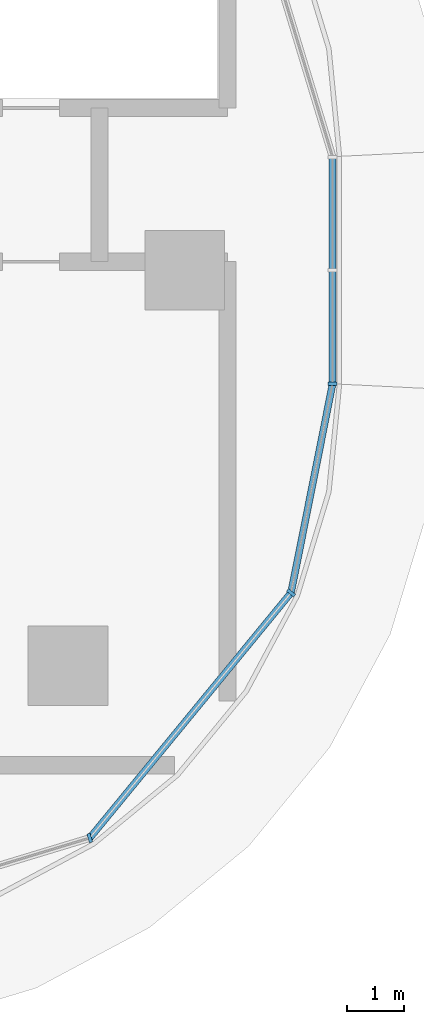
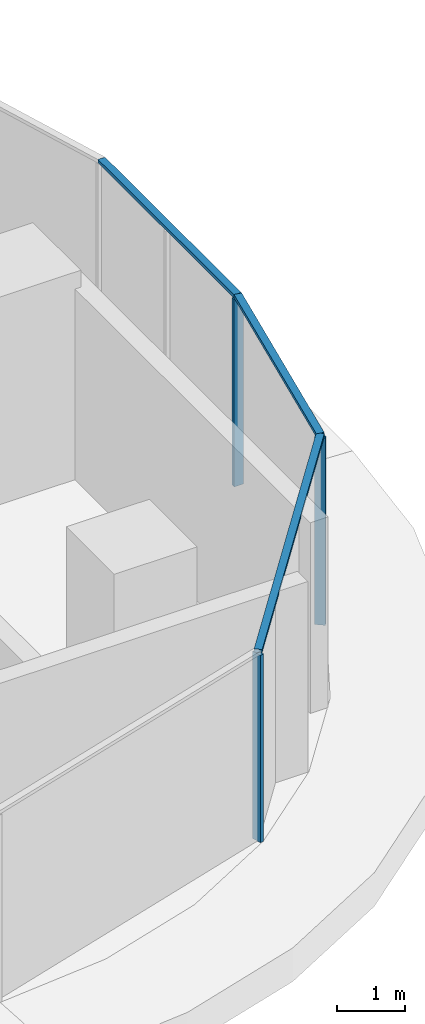
# One storey, part 8 of 36: 6 members, 2 elements without a shape of their own.
"""IFC4 building model written with IfcOpenShell, lengths in metres."""

from ifc_helpers import new_model, si_unit, direction, frame, origin, origin_2d, place, context, subcontext, project, spatial, rectangle, extrude, material, material_profile, profile_set, type_object, element, aggregate, save


model = new_model("IFC4")

# Units and contexts
model_context = context("Model", 3, precision=1e-05, world=origin(), true_north=direction((0.0, 1.0)))
body_context = subcontext(model_context, "Body", "Model", "MODEL_VIEW")
ifc_project = project(units=[si_unit("LENGTHUNIT", "METRE"), si_unit("AREAUNIT", "SQUARE_METRE"), si_unit("VOLUMEUNIT", "CUBIC_METRE"), si_unit("PLANEANGLEUNIT", "RADIAN"), si_unit("MASSUNIT", "GRAM", prefix="KILO")], contexts=[model_context])

# Site, building, storey
site_placement = place(None, origin())
site = spatial("IfcSite", under=ifc_project, at=site_placement, CompositionType="ELEMENT")
building_placement = place(site_placement, origin())
building = spatial("IfcBuilding", under=site, at=building_placement, Name="Ogive Portal Towers", CompositionType="ELEMENT")
storey_placement = place(building_placement, frame((0.0, 0.0, 63.10009765625)))
storey = spatial("IfcBuildingStorey", under=building, at=storey_placement, Name="L14", CompositionType="ELEMENT", Elevation=63.10009765625)

# Curtain wall, member
ifc_material_1 = material(Name="Glass, clear low-iron insulated glazing", Category="glass")
curtain_wall_type = type_object("IfcCurtainWallType", Name="CW FRONT RIBBON 4500", PredefinedType="NOTDEFINED", material=ifc_material_1)
curtain_wall_1_placement = place(storey_placement, origin())
curtain_wall_1 = element("IfcCurtainWall", 1, at=curtain_wall_1_placement, inside=storey, type_object=curtain_wall_type, Name="A:L14:f12:cw0", PredefinedType="NOTDEFINED")
ifc_material_2 = material(Name="Aluminium 6063 anodised", Category="aluminium")
ifc_material_profile_1 = material_profile(ifc_material_2, rectangle(XDim=0.159912109375, YDim=0.06005859375, at=origin_2d()), Name="AL 60x160")
ifc_profile_set_1 = profile_set([ifc_material_profile_1], Name="Aluminium 6063 anodised")
member_type_1 = type_object("IfcMemberType", Name="CW MULLION 60x160", PredefinedType="MULLION", material=ifc_profile_set_1)
member_1_placement = place(storey_placement, frame((97.10009765625, 28.5078125, 0.0), z_axis=(0.0, 0.0, 1.0), x_axis=(-1.0, 0.0, 0.0)))
member_1 = element("IfcMember", 2, at=member_1_placement, type_object=member_type_1, Name="mullion", PredefinedType="MULLION", context=body_context, shape_type="SweptSolid", body=[
    extrude(rectangle(XDim=0.159912109375, YDim=0.06005859375, at=origin_2d()), origin(), (0.0, 0.0, 1.0), 3.33984375),
])

# Curtain wall, members
curtain_wall_2_placement = place(storey_placement, origin())
curtain_wall_2 = element("IfcCurtainWall", 3, at=curtain_wall_2_placement, inside=storey, type_object=curtain_wall_type, Name="A:L14:f09:cwa", PredefinedType="NOTDEFINED")
member_2_placement = place(storey_placement, frame((92.83154296875, 20.52099609375, 0.0), z_axis=(0.0, 0.0, 1.0), x_axis=(-0.290284677254, 0.956940335732, 0.0)))
member_2 = element("IfcMember", 4, at=member_2_placement, type_object=member_type_1, Name="mullion", PredefinedType="MULLION", context=body_context, shape_type="SweptSolid", body=[
    extrude(rectangle(XDim=0.159912109375, YDim=0.06005859375, at=origin_2d()), origin(), (0.0, 0.0, 1.0), 3.33984375),
])
member_3_placement = place(storey_placement, frame((96.36865234375, 24.830810546875, 0.0), z_axis=(0.0, 0.0, 1.0), x_axis=(-0.773010453363, 0.634393284164, 0.0)))
member_3 = element("IfcMember", 5, at=member_3_placement, type_object=member_type_1, Name="mullion", PredefinedType="MULLION", context=body_context, shape_type="SweptSolid", body=[
    extrude(rectangle(XDim=0.159912109375, YDim=0.06005859375, at=origin_2d()), origin(), (0.0, 0.0, 1.0), 3.33984375),
])

# Member
ifc_material_profile_2 = material_profile(ifc_material_2, rectangle(XDim=0.1201171875, YDim=0.06005859375, at=origin_2d()), Name="AL 120x60")
ifc_profile_set_2 = profile_set([ifc_material_profile_2], Name="Aluminium 6063 anodised")
member_type_2 = type_object("IfcMemberType", Name="CW TRANSOM 60x120", PredefinedType="USERDEFINED", material=ifc_profile_set_2)
member_4_placement = place(storey_placement, frame((97.10009765625, 28.5078125, 3.369873046875), z_axis=(0.0, 1.0, 0.0), x_axis=(-1.0, 0.0, 0.0)))
member_4 = element("IfcMember", 6, at=member_4_placement, type_object=member_type_2, Name="transom", ObjectType="TRANSOM", PredefinedType="USERDEFINED", context=body_context, shape_type="SweptSolid", body=[
    extrude(rectangle(XDim=0.1201171875, YDim=0.06005859375, at=origin_2d()), origin(), (0.0, 0.0, 1.0), 3.980224609375),
])

aggregate(curtain_wall_1, [member_4, member_1])

member_5_placement = place(storey_placement, frame((92.83154296875, 20.52099609375, 3.369873046875), z_axis=(0.634407866289, 0.772998485892, 0.0), x_axis=(-0.772998485892, 0.634407866289, 0.0)))
member_5 = element("IfcMember", 7, at=member_5_placement, type_object=member_type_2, Name="transom", ObjectType="TRANSOM", PredefinedType="USERDEFINED", context=body_context, shape_type="SweptSolid", body=[
    extrude(rectangle(XDim=0.1201171875, YDim=0.06005859375, at=origin_2d()), origin(), (0.0, 0.0, 1.0), 5.575439453125),
])

member_6_placement = place(storey_placement, frame((96.36865234375, 24.830810546875, 3.369873046875), z_axis=(0.195101649899, 0.980783027079, 0.0), x_axis=(-0.980783027079, 0.195101649899, 0.0)))
member_6 = element("IfcMember", 8, at=member_6_placement, type_object=member_type_2, Name="transom", ObjectType="TRANSOM", PredefinedType="USERDEFINED", context=body_context, shape_type="SweptSolid", body=[
    extrude(rectangle(XDim=0.1201171875, YDim=0.06005859375, at=origin_2d()), origin(), (0.0, 0.0, 1.0), 3.7490234375),
])

aggregate(curtain_wall_2, [member_5, member_6, member_2, member_3])

save(model, "model.ifc")
